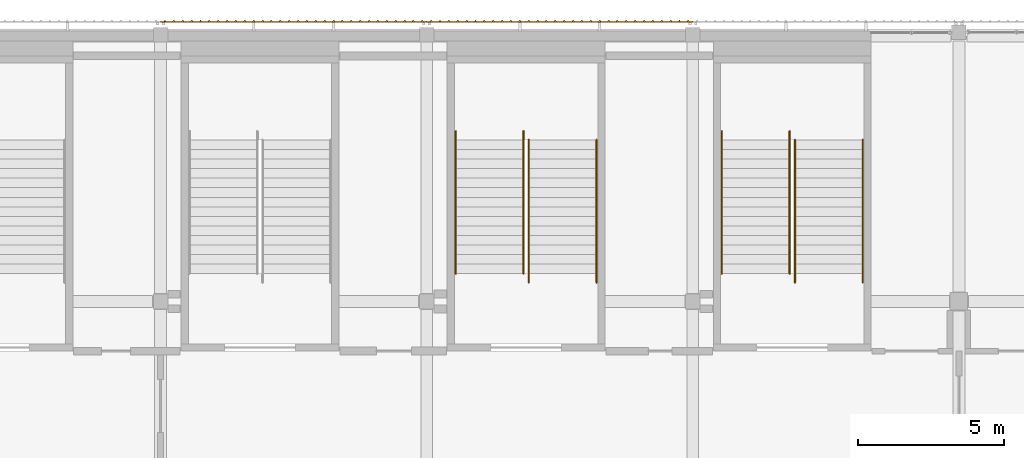
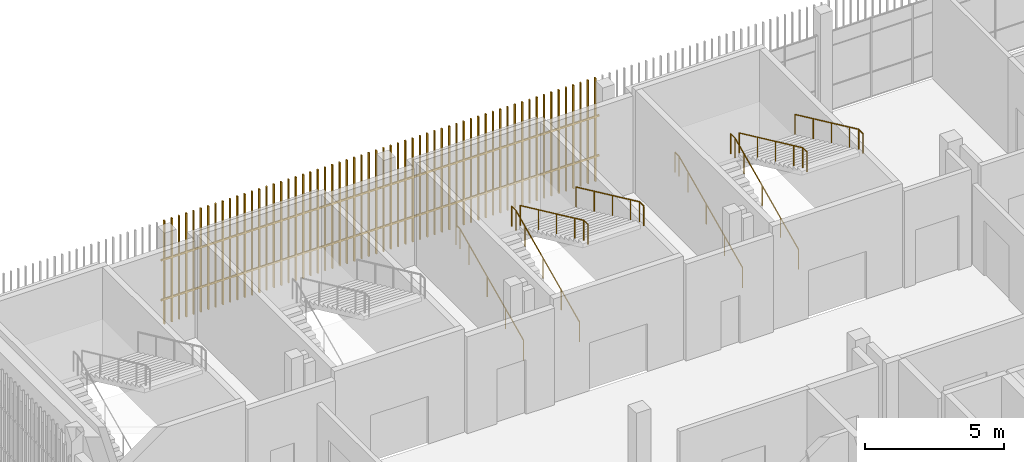
# One storey, part 112 of 124: 8 railings, 2 shading devices.
"""IFC4 building model written with IfcOpenShell, lengths in metres."""

from ifc_helpers import new_model, si_unit, direction, frame, origin, origin_2d, place, context, subcontext, project, spatial, rectangle, circle, extrude, material, type_object, element, save


model = new_model("IFC4")

# Units and contexts
model_context = context("Model", 3, precision=1e-05, world=origin(), true_north=direction((0.0, 1.0)))
body_context = subcontext(model_context, "Body", "Model", "MODEL_VIEW")
ifc_project = project(units=[si_unit("LENGTHUNIT", "METRE"), si_unit("AREAUNIT", "SQUARE_METRE"), si_unit("VOLUMEUNIT", "CUBIC_METRE"), si_unit("PLANEANGLEUNIT", "RADIAN"), si_unit("MASSUNIT", "GRAM", prefix="KILO")], contexts=[model_context])

# Site, building, storey
site_placement = place(None, origin())
site = spatial("IfcSite", under=ifc_project, at=site_placement, CompositionType="ELEMENT")
building_placement = place(site_placement, origin())
building = spatial("IfcBuilding", under=site, at=building_placement, Name="Shirokan Park Arena", CompositionType="ELEMENT")
storey_placement = place(building_placement, frame((0.0, 0.0, 20.02001953125)))
storey = spatial("IfcBuildingStorey", under=building, at=storey_placement, Name="L04", CompositionType="ELEMENT", Elevation=20.02001953125)

# Railings
ifc_material_1 = material(Name="Stainless steel", Category="steel")
railing_type = type_object("IfcRailingType", Name="Stair handrail 900", PredefinedType="HANDRAIL", material=ifc_material_1)
railing_1_placement = place(storey_placement, frame((19.18994140625, 101.050048828125, 0.151611328125)))
element("IfcRailing", 1, at=railing_1_placement, inside=storey, type_object=railing_type, Name="Handrail Exit Stair 4.C L04 to L05", PredefinedType="HANDRAIL", context=body_context, shape_type="SweptSolid", body=[
    extrude(circle(Radius=0.02392578125, at=origin_2d()), frame((0.0, 0.0, 0.8759765625), z_axis=(0.0, 0.906999720516, 0.421131222998), x_axis=(-1.0, 0.0, 0.0)), (0.0, 0.0, 1.0), 1.440673828125),
    extrude(circle(Radius=0.02392578125, at=origin_2d()), frame((0.0, 1.306640625, 1.482421875), z_axis=(0.0, 0.907029769225, 0.421066500378), x_axis=(-1.0, 0.0, 0.0)), (0.0, 0.0, 1.0), 1.44091796875),
    extrude(circle(Radius=0.02392578125, at=origin_2d()), frame((0.0, 2.613525390625, 2.08935546875), z_axis=(0.0, 0.907029769225, 0.421066500378), x_axis=(-1.0, 0.0, 0.0)), (0.0, 0.0, 1.0), 1.44091796875),
    extrude(circle(Radius=0.02392578125, at=origin_2d()), frame((0.0, 3.92041015625, 2.69580078125), z_axis=(0.0, 0.907064445915, 0.420991794405), x_axis=(-1.0, 0.0, 0.0)), (0.0, 0.0, 1.0), 0.72021484375),
    extrude(circle(Radius=0.02392578125, at=origin_2d()), frame((0.0, 4.57373046875, 2.9990234375), z_axis=(0.0, 1.0, 0.0), x_axis=(-1.0, 0.0, 0.0)), (0.0, 0.0, 1.0), 0.300048828125),
    extrude(circle(Radius=0.02099609375, at=origin_2d()), origin(), (0.0, 0.0, 1.0), 0.851806640625),
    extrude(circle(Radius=0.02099609375, at=origin_2d()), frame((0.0, 1.306640625, 0.606689453125)), (0.0, 0.0, 1.0), 0.851806640625),
    extrude(circle(Radius=0.02099609375, at=origin_2d()), frame((0.0, 2.613525390625, 1.21337890625)), (0.0, 0.0, 1.0), 0.851806640625),
    extrude(circle(Radius=0.02099609375, at=origin_2d()), frame((0.0, 3.92041015625, 1.820068359375)), (0.0, 0.0, 1.0), 0.851806640625),
    extrude(circle(Radius=0.02099609375, at=origin_2d()), frame((0.0, 4.57373046875, 2.123291015625)), (0.0, 0.0, 1.0), 0.851806640625),
    extrude(circle(Radius=0.02099609375, at=origin_2d()), frame((0.0, 4.873779296875, 2.123291015625)), (0.0, 0.0, 1.0), 0.851806640625),
])
railing_2_placement = place(storey_placement, frame((21.510009765625, 101.050048828125, 0.151611328125)))
element("IfcRailing", 2, at=railing_2_placement, inside=storey, type_object=railing_type, Name="Handrail Exit Stair 4.C L04 to L05", PredefinedType="HANDRAIL", context=body_context, shape_type="SweptSolid", body=[
    extrude(circle(Radius=0.02392578125, at=origin_2d()), frame((0.0, 0.0, 0.8759765625), z_axis=(0.0, 0.906999720516, 0.421131222998), x_axis=(-1.0, 0.0, 0.0)), (0.0, 0.0, 1.0), 1.440673828125),
    extrude(circle(Radius=0.02392578125, at=origin_2d()), frame((0.0, 1.306640625, 1.482421875), z_axis=(0.0, 0.907029769225, 0.421066500378), x_axis=(-1.0, 0.0, 0.0)), (0.0, 0.0, 1.0), 1.44091796875),
    extrude(circle(Radius=0.02392578125, at=origin_2d()), frame((0.0, 2.613525390625, 2.08935546875), z_axis=(0.0, 0.907029769225, 0.421066500378), x_axis=(-1.0, 0.0, 0.0)), (0.0, 0.0, 1.0), 1.44091796875),
    extrude(circle(Radius=0.02392578125, at=origin_2d()), frame((0.0, 3.92041015625, 2.69580078125), z_axis=(0.0, 0.907064445915, 0.420991794405), x_axis=(-1.0, 0.0, 0.0)), (0.0, 0.0, 1.0), 0.72021484375),
    extrude(circle(Radius=0.02392578125, at=origin_2d()), frame((0.0, 4.57373046875, 2.9990234375), z_axis=(0.0, 1.0, 0.0), x_axis=(-1.0, 0.0, 0.0)), (0.0, 0.0, 1.0), 0.300048828125),
    extrude(circle(Radius=0.02099609375, at=origin_2d()), origin(), (0.0, 0.0, 1.0), 0.851806640625),
    extrude(circle(Radius=0.02099609375, at=origin_2d()), frame((0.0, 1.306640625, 0.606689453125)), (0.0, 0.0, 1.0), 0.851806640625),
    extrude(circle(Radius=0.02099609375, at=origin_2d()), frame((0.0, 2.613525390625, 1.21337890625)), (0.0, 0.0, 1.0), 0.851806640625),
    extrude(circle(Radius=0.02099609375, at=origin_2d()), frame((0.0, 3.92041015625, 1.820068359375)), (0.0, 0.0, 1.0), 0.851806640625),
    extrude(circle(Radius=0.02099609375, at=origin_2d()), frame((0.0, 4.57373046875, 2.123291015625)), (0.0, 0.0, 1.0), 0.851806640625),
    extrude(circle(Radius=0.02099609375, at=origin_2d()), frame((0.0, 4.873779296875, 2.123291015625)), (0.0, 0.0, 1.0), 0.851806640625),
])
railing_3_placement = place(storey_placement, frame((21.68994140625, 105.623779296875, 2.4267578125)))
element("IfcRailing", 3, at=railing_3_placement, inside=storey, type_object=railing_type, Name="Handrail Exit Stair 4.C L04 to L05", PredefinedType="HANDRAIL", context=body_context, shape_type="SweptSolid", body=[
    extrude(circle(Radius=0.02392578125, at=origin_2d()), frame((0.0, 0.0, 0.8759765625), z_axis=(0.0, -0.907094476872, 0.420927083981), x_axis=(1.0, 0.0, 0.0)), (0.0, 0.0, 1.0), 1.440673828125),
    extrude(circle(Radius=0.02392578125, at=origin_2d()), frame((0.0, -1.306884765625, 1.482421875), z_axis=(0.0, -0.906999720516, 0.421131222998), x_axis=(1.0, 0.0, 0.0)), (0.0, 0.0, 1.0), 1.440673828125),
    extrude(circle(Radius=0.02392578125, at=origin_2d()), frame((0.0, -2.613525390625, 2.0888671875), z_axis=(0.0, -0.907029769225, 0.421066500378), x_axis=(1.0, 0.0, 0.0)), (0.0, 0.0, 1.0), 1.44091796875),
    extrude(circle(Radius=0.02392578125, at=origin_2d()), frame((0.0, -3.92041015625, 2.69580078125), z_axis=(0.0, -0.906934982928, 0.421270621741), x_axis=(1.0, 0.0, 0.0)), (0.0, 0.0, 1.0), 0.720458984375),
    extrude(circle(Radius=0.02392578125, at=origin_2d()), frame((0.0, -4.57373046875, 2.9990234375), z_axis=(0.0, -1.0, 0.0), x_axis=(1.0, 0.0, 0.0)), (0.0, 0.0, 1.0), 0.300048828125),
    extrude(circle(Radius=0.02099609375, at=origin_2d()), origin(), (0.0, 0.0, 1.0), 0.851806640625),
    extrude(circle(Radius=0.02099609375, at=origin_2d()), frame((0.0, -1.306884765625, 0.6064453125)), (0.0, 0.0, 1.0), 0.851806640625),
    extrude(circle(Radius=0.02099609375, at=origin_2d()), frame((0.0, -2.613525390625, 1.213134765625)), (0.0, 0.0, 1.0), 0.851806640625),
    extrude(circle(Radius=0.02099609375, at=origin_2d()), frame((0.0, -3.92041015625, 1.81982421875)), (0.0, 0.0, 1.0), 0.851806640625),
    extrude(circle(Radius=0.02099609375, at=origin_2d()), frame((0.0, -4.57373046875, 2.123291015625)), (0.0, 0.0, 1.0), 0.851806640625),
    extrude(circle(Radius=0.02099609375, at=origin_2d()), frame((0.0, -4.873779296875, 2.123291015625)), (0.0, 0.0, 1.0), 0.851806640625),
])
railing_4_placement = place(storey_placement, frame((24.010009765625, 105.623779296875, 2.4267578125)))
element("IfcRailing", 4, at=railing_4_placement, inside=storey, type_object=railing_type, Name="Handrail Exit Stair 4.C L04 to L05", PredefinedType="HANDRAIL", context=body_context, shape_type="SweptSolid", body=[
    extrude(circle(Radius=0.02392578125, at=origin_2d()), frame((0.0, 0.0, 0.8759765625), z_axis=(0.0, -0.907094476872, 0.420927083981), x_axis=(1.0, 0.0, 0.0)), (0.0, 0.0, 1.0), 1.440673828125),
    extrude(circle(Radius=0.02392578125, at=origin_2d()), frame((0.0, -1.306884765625, 1.482421875), z_axis=(0.0, -0.906999720516, 0.421131222998), x_axis=(1.0, 0.0, 0.0)), (0.0, 0.0, 1.0), 1.440673828125),
    extrude(circle(Radius=0.02392578125, at=origin_2d()), frame((0.0, -2.613525390625, 2.0888671875), z_axis=(0.0, -0.907029769225, 0.421066500378), x_axis=(1.0, 0.0, 0.0)), (0.0, 0.0, 1.0), 1.44091796875),
    extrude(circle(Radius=0.02392578125, at=origin_2d()), frame((0.0, -3.92041015625, 2.69580078125), z_axis=(0.0, -0.906934982928, 0.421270621741), x_axis=(1.0, 0.0, 0.0)), (0.0, 0.0, 1.0), 0.720458984375),
    extrude(circle(Radius=0.02392578125, at=origin_2d()), frame((0.0, -4.57373046875, 2.9990234375), z_axis=(0.0, -1.0, 0.0), x_axis=(1.0, 0.0, 0.0)), (0.0, 0.0, 1.0), 0.300048828125),
    extrude(circle(Radius=0.02099609375, at=origin_2d()), origin(), (0.0, 0.0, 1.0), 0.851806640625),
    extrude(circle(Radius=0.02099609375, at=origin_2d()), frame((0.0, -1.306884765625, 0.6064453125)), (0.0, 0.0, 1.0), 0.851806640625),
    extrude(circle(Radius=0.02099609375, at=origin_2d()), frame((0.0, -2.613525390625, 1.213134765625)), (0.0, 0.0, 1.0), 0.851806640625),
    extrude(circle(Radius=0.02099609375, at=origin_2d()), frame((0.0, -3.92041015625, 1.81982421875)), (0.0, 0.0, 1.0), 0.851806640625),
    extrude(circle(Radius=0.02099609375, at=origin_2d()), frame((0.0, -4.57373046875, 2.123291015625)), (0.0, 0.0, 1.0), 0.851806640625),
    extrude(circle(Radius=0.02099609375, at=origin_2d()), frame((0.0, -4.873779296875, 2.123291015625)), (0.0, 0.0, 1.0), 0.851806640625),
])
railing_5_placement = place(storey_placement, frame((28.2900390625, 101.050048828125, 0.151611328125)))
element("IfcRailing", 5, at=railing_5_placement, inside=storey, type_object=railing_type, Name="Handrail Exit Stair 4.D L04 to L05", PredefinedType="HANDRAIL", context=body_context, shape_type="SweptSolid", body=[
    extrude(circle(Radius=0.02392578125, at=origin_2d()), frame((0.0, 0.0, 0.8759765625), z_axis=(0.0, 0.906999720516, 0.421131222998), x_axis=(-1.0, 0.0, 0.0)), (0.0, 0.0, 1.0), 1.440673828125),
    extrude(circle(Radius=0.02392578125, at=origin_2d()), frame((0.0, 1.306640625, 1.482421875), z_axis=(0.0, 0.907029769225, 0.421066500378), x_axis=(-1.0, 0.0, 0.0)), (0.0, 0.0, 1.0), 1.44091796875),
    extrude(circle(Radius=0.02392578125, at=origin_2d()), frame((0.0, 2.613525390625, 2.08935546875), z_axis=(0.0, 0.907029769225, 0.421066500378), x_axis=(-1.0, 0.0, 0.0)), (0.0, 0.0, 1.0), 1.44091796875),
    extrude(circle(Radius=0.02392578125, at=origin_2d()), frame((0.0, 3.92041015625, 2.69580078125), z_axis=(0.0, 0.907064445915, 0.420991794405), x_axis=(-1.0, 0.0, 0.0)), (0.0, 0.0, 1.0), 0.72021484375),
    extrude(circle(Radius=0.02392578125, at=origin_2d()), frame((0.0, 4.57373046875, 2.9990234375), z_axis=(0.0, 1.0, 0.0), x_axis=(-1.0, 0.0, 0.0)), (0.0, 0.0, 1.0), 0.300048828125),
    extrude(circle(Radius=0.02099609375, at=origin_2d()), origin(), (0.0, 0.0, 1.0), 0.851806640625),
    extrude(circle(Radius=0.02099609375, at=origin_2d()), frame((0.0, 1.306640625, 0.606689453125)), (0.0, 0.0, 1.0), 0.851806640625),
    extrude(circle(Radius=0.02099609375, at=origin_2d()), frame((0.0, 2.613525390625, 1.21337890625)), (0.0, 0.0, 1.0), 0.851806640625),
    extrude(circle(Radius=0.02099609375, at=origin_2d()), frame((0.0, 3.92041015625, 1.820068359375)), (0.0, 0.0, 1.0), 0.851806640625),
    extrude(circle(Radius=0.02099609375, at=origin_2d()), frame((0.0, 4.57373046875, 2.123291015625)), (0.0, 0.0, 1.0), 0.851806640625),
    extrude(circle(Radius=0.02099609375, at=origin_2d()), frame((0.0, 4.873779296875, 2.123291015625)), (0.0, 0.0, 1.0), 0.851806640625),
])
railing_6_placement = place(storey_placement, frame((30.610107421875, 101.050048828125, 0.151611328125)))
element("IfcRailing", 6, at=railing_6_placement, inside=storey, type_object=railing_type, Name="Handrail Exit Stair 4.D L04 to L05", PredefinedType="HANDRAIL", context=body_context, shape_type="SweptSolid", body=[
    extrude(circle(Radius=0.02392578125, at=origin_2d()), frame((0.0, 0.0, 0.8759765625), z_axis=(0.0, 0.906999720516, 0.421131222998), x_axis=(-1.0, 0.0, 0.0)), (0.0, 0.0, 1.0), 1.440673828125),
    extrude(circle(Radius=0.02392578125, at=origin_2d()), frame((0.0, 1.306640625, 1.482421875), z_axis=(0.0, 0.907029769225, 0.421066500378), x_axis=(-1.0, 0.0, 0.0)), (0.0, 0.0, 1.0), 1.44091796875),
    extrude(circle(Radius=0.02392578125, at=origin_2d()), frame((0.0, 2.613525390625, 2.08935546875), z_axis=(0.0, 0.907029769225, 0.421066500378), x_axis=(-1.0, 0.0, 0.0)), (0.0, 0.0, 1.0), 1.44091796875),
    extrude(circle(Radius=0.02392578125, at=origin_2d()), frame((0.0, 3.92041015625, 2.69580078125), z_axis=(0.0, 0.907064445915, 0.420991794405), x_axis=(-1.0, 0.0, 0.0)), (0.0, 0.0, 1.0), 0.72021484375),
    extrude(circle(Radius=0.02392578125, at=origin_2d()), frame((0.0, 4.57373046875, 2.9990234375), z_axis=(0.0, 1.0, 0.0), x_axis=(-1.0, 0.0, 0.0)), (0.0, 0.0, 1.0), 0.300048828125),
    extrude(circle(Radius=0.02099609375, at=origin_2d()), origin(), (0.0, 0.0, 1.0), 0.851806640625),
    extrude(circle(Radius=0.02099609375, at=origin_2d()), frame((0.0, 1.306640625, 0.606689453125)), (0.0, 0.0, 1.0), 0.851806640625),
    extrude(circle(Radius=0.02099609375, at=origin_2d()), frame((0.0, 2.613525390625, 1.21337890625)), (0.0, 0.0, 1.0), 0.851806640625),
    extrude(circle(Radius=0.02099609375, at=origin_2d()), frame((0.0, 3.92041015625, 1.820068359375)), (0.0, 0.0, 1.0), 0.851806640625),
    extrude(circle(Radius=0.02099609375, at=origin_2d()), frame((0.0, 4.57373046875, 2.123291015625)), (0.0, 0.0, 1.0), 0.851806640625),
    extrude(circle(Radius=0.02099609375, at=origin_2d()), frame((0.0, 4.873779296875, 2.123291015625)), (0.0, 0.0, 1.0), 0.851806640625),
])
railing_7_placement = place(storey_placement, frame((30.7900390625, 105.623779296875, 2.4267578125)))
element("IfcRailing", 7, at=railing_7_placement, inside=storey, type_object=railing_type, Name="Handrail Exit Stair 4.D L04 to L05", PredefinedType="HANDRAIL", context=body_context, shape_type="SweptSolid", body=[
    extrude(circle(Radius=0.02392578125, at=origin_2d()), frame((0.0, 0.0, 0.8759765625), z_axis=(0.0, -0.907094476872, 0.420927083981), x_axis=(1.0, 0.0, 0.0)), (0.0, 0.0, 1.0), 1.440673828125),
    extrude(circle(Radius=0.02392578125, at=origin_2d()), frame((0.0, -1.306884765625, 1.482421875), z_axis=(0.0, -0.906999720516, 0.421131222998), x_axis=(1.0, 0.0, 0.0)), (0.0, 0.0, 1.0), 1.440673828125),
    extrude(circle(Radius=0.02392578125, at=origin_2d()), frame((0.0, -2.613525390625, 2.0888671875), z_axis=(0.0, -0.907029769225, 0.421066500378), x_axis=(1.0, 0.0, 0.0)), (0.0, 0.0, 1.0), 1.44091796875),
    extrude(circle(Radius=0.02392578125, at=origin_2d()), frame((0.0, -3.92041015625, 2.69580078125), z_axis=(0.0, -0.906934982928, 0.421270621741), x_axis=(1.0, 0.0, 0.0)), (0.0, 0.0, 1.0), 0.720458984375),
    extrude(circle(Radius=0.02392578125, at=origin_2d()), frame((0.0, -4.57373046875, 2.9990234375), z_axis=(0.0, -1.0, 0.0), x_axis=(1.0, 0.0, 0.0)), (0.0, 0.0, 1.0), 0.300048828125),
    extrude(circle(Radius=0.02099609375, at=origin_2d()), origin(), (0.0, 0.0, 1.0), 0.851806640625),
    extrude(circle(Radius=0.02099609375, at=origin_2d()), frame((0.0, -1.306884765625, 0.6064453125)), (0.0, 0.0, 1.0), 0.851806640625),
    extrude(circle(Radius=0.02099609375, at=origin_2d()), frame((0.0, -2.613525390625, 1.213134765625)), (0.0, 0.0, 1.0), 0.851806640625),
    extrude(circle(Radius=0.02099609375, at=origin_2d()), frame((0.0, -3.92041015625, 1.81982421875)), (0.0, 0.0, 1.0), 0.851806640625),
    extrude(circle(Radius=0.02099609375, at=origin_2d()), frame((0.0, -4.57373046875, 2.123291015625)), (0.0, 0.0, 1.0), 0.851806640625),
    extrude(circle(Radius=0.02099609375, at=origin_2d()), frame((0.0, -4.873779296875, 2.123291015625)), (0.0, 0.0, 1.0), 0.851806640625),
])
railing_8_placement = place(storey_placement, frame((33.110107421875, 105.623779296875, 2.4267578125)))
element("IfcRailing", 8, at=railing_8_placement, inside=storey, type_object=railing_type, Name="Handrail Exit Stair 4.D L04 to L05", PredefinedType="HANDRAIL", context=body_context, shape_type="SweptSolid", body=[
    extrude(circle(Radius=0.02392578125, at=origin_2d()), frame((0.0, 0.0, 0.8759765625), z_axis=(0.0, -0.907094476872, 0.420927083981), x_axis=(1.0, 0.0, 0.0)), (0.0, 0.0, 1.0), 1.440673828125),
    extrude(circle(Radius=0.02392578125, at=origin_2d()), frame((0.0, -1.306884765625, 1.482421875), z_axis=(0.0, -0.906999720516, 0.421131222998), x_axis=(1.0, 0.0, 0.0)), (0.0, 0.0, 1.0), 1.440673828125),
    extrude(circle(Radius=0.02392578125, at=origin_2d()), frame((0.0, -2.613525390625, 2.0888671875), z_axis=(0.0, -0.907029769225, 0.421066500378), x_axis=(1.0, 0.0, 0.0)), (0.0, 0.0, 1.0), 1.44091796875),
    extrude(circle(Radius=0.02392578125, at=origin_2d()), frame((0.0, -3.92041015625, 2.69580078125), z_axis=(0.0, -0.906934982928, 0.421270621741), x_axis=(1.0, 0.0, 0.0)), (0.0, 0.0, 1.0), 0.720458984375),
    extrude(circle(Radius=0.02392578125, at=origin_2d()), frame((0.0, -4.57373046875, 2.9990234375), z_axis=(0.0, -1.0, 0.0), x_axis=(1.0, 0.0, 0.0)), (0.0, 0.0, 1.0), 0.300048828125),
    extrude(circle(Radius=0.02099609375, at=origin_2d()), origin(), (0.0, 0.0, 1.0), 0.851806640625),
    extrude(circle(Radius=0.02099609375, at=origin_2d()), frame((0.0, -1.306884765625, 0.6064453125)), (0.0, 0.0, 1.0), 0.851806640625),
    extrude(circle(Radius=0.02099609375, at=origin_2d()), frame((0.0, -2.613525390625, 1.213134765625)), (0.0, 0.0, 1.0), 0.851806640625),
    extrude(circle(Radius=0.02099609375, at=origin_2d()), frame((0.0, -3.92041015625, 1.81982421875)), (0.0, 0.0, 1.0), 0.851806640625),
    extrude(circle(Radius=0.02099609375, at=origin_2d()), frame((0.0, -4.57373046875, 2.123291015625)), (0.0, 0.0, 1.0), 0.851806640625),
    extrude(circle(Radius=0.02099609375, at=origin_2d()), frame((0.0, -4.873779296875, 2.123291015625)), (0.0, 0.0, 1.0), 0.851806640625),
])

# Shading devices
ifc_material_2 = material(Name="Timber louvre veil (cedar)", Category="wood")
shading_device_type = type_object("IfcShadingDeviceType", Name="Timber louvre veil panel", PredefinedType="JALOUSIE", material=ifc_material_2)
shading_device_1_placement = place(storey_placement, origin())
element("IfcShadingDevice", 9, at=shading_device_1_placement, inside=storey, type_object=shading_device_type, Name="Timber louvre veil north bay 14 L04", PredefinedType="JALOUSIE", context=body_context, shape_type="SweptSolid", body=[
    extrude(rectangle(XDim=0.050048828125, YDim=0.080078125, at=origin_2d()), frame((27.1484375, 109.68505859375, 0.0), z_axis=(0.0, 0.0, 1.0), x_axis=(-1.0, 0.0, 0.0)), (0.0, 0.0, 1.0), 4.550048828125),
    extrude(rectangle(XDim=0.050048828125, YDim=0.080078125, at=origin_2d()), frame((26.844970703125, 109.68505859375, 0.0), z_axis=(0.0, 0.0, 1.0), x_axis=(-1.0, 0.0, 0.0)), (0.0, 0.0, 1.0), 4.550048828125),
    extrude(rectangle(XDim=0.050048828125, YDim=0.080078125, at=origin_2d()), frame((26.541748046875, 109.68505859375, 0.0), z_axis=(0.0, 0.0, 1.0), x_axis=(-1.0, 0.0, 0.0)), (0.0, 0.0, 1.0), 4.550048828125),
    extrude(rectangle(XDim=0.050048828125, YDim=0.080078125, at=origin_2d()), frame((26.23828125, 109.68505859375, 0.0), z_axis=(0.0, 0.0, 1.0), x_axis=(-1.0, 0.0, 0.0)), (0.0, 0.0, 1.0), 4.550048828125),
    extrude(rectangle(XDim=0.050048828125, YDim=0.080078125, at=origin_2d()), frame((25.93505859375, 109.68505859375, 0.0), z_axis=(0.0, 0.0, 1.0), x_axis=(-1.0, 0.0, 0.0)), (0.0, 0.0, 1.0), 4.550048828125),
    extrude(rectangle(XDim=0.050048828125, YDim=0.080078125, at=origin_2d()), frame((25.631591796875, 109.68505859375, 0.0), z_axis=(0.0, 0.0, 1.0), x_axis=(-1.0, 0.0, 0.0)), (0.0, 0.0, 1.0), 4.550048828125),
    extrude(rectangle(XDim=0.050048828125, YDim=0.080078125, at=origin_2d()), frame((25.328369140625, 109.68505859375, 0.0), z_axis=(0.0, 0.0, 1.0), x_axis=(-1.0, 0.0, 0.0)), (0.0, 0.0, 1.0), 4.550048828125),
    extrude(rectangle(XDim=0.050048828125, YDim=0.080078125, at=origin_2d()), frame((25.02490234375, 109.68505859375, 0.0), z_axis=(0.0, 0.0, 1.0), x_axis=(-1.0, 0.0, 0.0)), (0.0, 0.0, 1.0), 4.550048828125),
    extrude(rectangle(XDim=0.050048828125, YDim=0.080078125, at=origin_2d()), frame((24.7216796875, 109.68505859375, 0.0), z_axis=(0.0, 0.0, 1.0), x_axis=(-1.0, 0.0, 0.0)), (0.0, 0.0, 1.0), 4.550048828125),
    extrude(rectangle(XDim=0.050048828125, YDim=0.080078125, at=origin_2d()), frame((24.418212890625, 109.68505859375, 0.0), z_axis=(0.0, 0.0, 1.0), x_axis=(-1.0, 0.0, 0.0)), (0.0, 0.0, 1.0), 4.550048828125),
    extrude(rectangle(XDim=0.050048828125, YDim=0.080078125, at=origin_2d()), frame((24.114990234375, 109.68505859375, 0.0), z_axis=(0.0, 0.0, 1.0), x_axis=(-1.0, 0.0, 0.0)), (0.0, 0.0, 1.0), 4.550048828125),
    extrude(rectangle(XDim=0.050048828125, YDim=0.080078125, at=origin_2d()), frame((23.811767578125, 109.68505859375, 0.0), z_axis=(0.0, 0.0, 1.0), x_axis=(-1.0, 0.0, 0.0)), (0.0, 0.0, 1.0), 4.550048828125),
    extrude(rectangle(XDim=0.050048828125, YDim=0.080078125, at=origin_2d()), frame((23.50830078125, 109.68505859375, 0.0), z_axis=(0.0, 0.0, 1.0), x_axis=(-1.0, 0.0, 0.0)), (0.0, 0.0, 1.0), 4.550048828125),
    extrude(rectangle(XDim=0.050048828125, YDim=0.080078125, at=origin_2d()), frame((23.205078125, 109.68505859375, 0.0), z_axis=(0.0, 0.0, 1.0), x_axis=(-1.0, 0.0, 0.0)), (0.0, 0.0, 1.0), 4.550048828125),
    extrude(rectangle(XDim=0.050048828125, YDim=0.080078125, at=origin_2d()), frame((22.901611328125, 109.68505859375, 0.0), z_axis=(0.0, 0.0, 1.0), x_axis=(-1.0, 0.0, 0.0)), (0.0, 0.0, 1.0), 4.550048828125),
    extrude(rectangle(XDim=0.050048828125, YDim=0.080078125, at=origin_2d()), frame((22.598388671875, 109.68505859375, 0.0), z_axis=(0.0, 0.0, 1.0), x_axis=(-1.0, 0.0, 0.0)), (0.0, 0.0, 1.0), 4.550048828125),
    extrude(rectangle(XDim=0.050048828125, YDim=0.080078125, at=origin_2d()), frame((22.294921875, 109.68505859375, 0.0), z_axis=(0.0, 0.0, 1.0), x_axis=(-1.0, 0.0, 0.0)), (0.0, 0.0, 1.0), 4.550048828125),
    extrude(rectangle(XDim=0.050048828125, YDim=0.080078125, at=origin_2d()), frame((21.99169921875, 109.68505859375, 0.0), z_axis=(0.0, 0.0, 1.0), x_axis=(-1.0, 0.0, 0.0)), (0.0, 0.0, 1.0), 4.550048828125),
    extrude(rectangle(XDim=0.050048828125, YDim=0.080078125, at=origin_2d()), frame((21.688232421875, 109.68505859375, 0.0), z_axis=(0.0, 0.0, 1.0), x_axis=(-1.0, 0.0, 0.0)), (0.0, 0.0, 1.0), 4.550048828125),
    extrude(rectangle(XDim=0.050048828125, YDim=0.080078125, at=origin_2d()), frame((21.385009765625, 109.68505859375, 0.0), z_axis=(0.0, 0.0, 1.0), x_axis=(-1.0, 0.0, 0.0)), (0.0, 0.0, 1.0), 4.550048828125),
    extrude(rectangle(XDim=0.050048828125, YDim=0.080078125, at=origin_2d()), frame((21.081787109375, 109.68505859375, 0.0), z_axis=(0.0, 0.0, 1.0), x_axis=(-1.0, 0.0, 0.0)), (0.0, 0.0, 1.0), 4.550048828125),
    extrude(rectangle(XDim=0.050048828125, YDim=0.080078125, at=origin_2d()), frame((20.7783203125, 109.68505859375, 0.0), z_axis=(0.0, 0.0, 1.0), x_axis=(-1.0, 0.0, 0.0)), (0.0, 0.0, 1.0), 4.550048828125),
    extrude(rectangle(XDim=0.050048828125, YDim=0.080078125, at=origin_2d()), frame((20.47509765625, 109.68505859375, 0.0), z_axis=(0.0, 0.0, 1.0), x_axis=(-1.0, 0.0, 0.0)), (0.0, 0.0, 1.0), 4.550048828125),
    extrude(rectangle(XDim=0.050048828125, YDim=0.080078125, at=origin_2d()), frame((20.171630859375, 109.68505859375, 0.0), z_axis=(0.0, 0.0, 1.0), x_axis=(-1.0, 0.0, 0.0)), (0.0, 0.0, 1.0), 4.550048828125),
    extrude(rectangle(XDim=0.050048828125, YDim=0.080078125, at=origin_2d()), frame((19.868408203125, 109.68505859375, 0.0), z_axis=(0.0, 0.0, 1.0), x_axis=(-1.0, 0.0, 0.0)), (0.0, 0.0, 1.0), 4.550048828125),
    extrude(rectangle(XDim=0.050048828125, YDim=0.080078125, at=origin_2d()), frame((19.56494140625, 109.68505859375, 0.0), z_axis=(0.0, 0.0, 1.0), x_axis=(-1.0, 0.0, 0.0)), (0.0, 0.0, 1.0), 4.550048828125),
    extrude(rectangle(XDim=0.050048828125, YDim=0.080078125, at=origin_2d()), frame((19.26171875, 109.68505859375, 0.0), z_axis=(0.0, 0.0, 1.0), x_axis=(-1.0, 0.0, 0.0)), (0.0, 0.0, 1.0), 4.550048828125),
    extrude(rectangle(XDim=0.050048828125, YDim=0.080078125, at=origin_2d()), frame((18.958251953125, 109.68505859375, 0.0), z_axis=(0.0, 0.0, 1.0), x_axis=(-1.0, 0.0, 0.0)), (0.0, 0.0, 1.0), 4.550048828125),
    extrude(rectangle(XDim=0.050048828125, YDim=0.080078125, at=origin_2d()), frame((18.655029296875, 109.68505859375, 0.0), z_axis=(0.0, 0.0, 1.0), x_axis=(-1.0, 0.0, 0.0)), (0.0, 0.0, 1.0), 4.550048828125),
    extrude(rectangle(XDim=0.050048828125, YDim=0.080078125, at=origin_2d()), frame((18.3515625, 109.68505859375, 0.0), z_axis=(0.0, 0.0, 1.0), x_axis=(-1.0, 0.0, 0.0)), (0.0, 0.0, 1.0), 4.550048828125),
    extrude(rectangle(XDim=9.10009765625, YDim=0.050048828125, at=origin_2d()), frame((22.75, 109.669921875, 1.06005859375), z_axis=(0.0, 0.0, 1.0), x_axis=(-1.0, 0.0, 0.0)), (0.0, 0.0, 1.0), 0.080078125),
    extrude(rectangle(XDim=9.10009765625, YDim=0.050048828125, at=origin_2d()), frame((22.75, 109.669921875, 2.81005859375), z_axis=(0.0, 0.0, 1.0), x_axis=(-1.0, 0.0, 0.0)), (0.0, 0.0, 1.0), 0.080078125),
])
shading_device_2_placement = place(storey_placement, origin())
element("IfcShadingDevice", 10, at=shading_device_2_placement, inside=storey, type_object=shading_device_type, Name="Timber louvre veil north bay 15 L04", PredefinedType="JALOUSIE", context=body_context, shape_type="SweptSolid", body=[
    extrude(rectangle(XDim=0.050048828125, YDim=0.080078125, at=origin_2d()), frame((18.04833984375, 109.68505859375, 0.0), z_axis=(0.0, 0.0, 1.0), x_axis=(-1.0, 0.0, 0.0)), (0.0, 0.0, 1.0), 4.550048828125),
    extrude(rectangle(XDim=0.050048828125, YDim=0.080078125, at=origin_2d()), frame((17.7451171875, 109.68505859375, 0.0), z_axis=(0.0, 0.0, 1.0), x_axis=(-1.0, 0.0, 0.0)), (0.0, 0.0, 1.0), 4.550048828125),
    extrude(rectangle(XDim=0.050048828125, YDim=0.080078125, at=origin_2d()), frame((17.441650390625, 109.68505859375, 0.0), z_axis=(0.0, 0.0, 1.0), x_axis=(-1.0, 0.0, 0.0)), (0.0, 0.0, 1.0), 4.550048828125),
    extrude(rectangle(XDim=0.050048828125, YDim=0.080078125, at=origin_2d()), frame((17.138427734375, 109.68505859375, 0.0), z_axis=(0.0, 0.0, 1.0), x_axis=(-1.0, 0.0, 0.0)), (0.0, 0.0, 1.0), 4.550048828125),
    extrude(rectangle(XDim=0.050048828125, YDim=0.080078125, at=origin_2d()), frame((16.8349609375, 109.68505859375, 0.0), z_axis=(0.0, 0.0, 1.0), x_axis=(-1.0, 0.0, 0.0)), (0.0, 0.0, 1.0), 4.550048828125),
    extrude(rectangle(XDim=0.050048828125, YDim=0.080078125, at=origin_2d()), frame((16.53173828125, 109.68505859375, 0.0), z_axis=(0.0, 0.0, 1.0), x_axis=(-1.0, 0.0, 0.0)), (0.0, 0.0, 1.0), 4.550048828125),
    extrude(rectangle(XDim=0.050048828125, YDim=0.080078125, at=origin_2d()), frame((16.228271484375, 109.68505859375, 0.0), z_axis=(0.0, 0.0, 1.0), x_axis=(-1.0, 0.0, 0.0)), (0.0, 0.0, 1.0), 4.550048828125),
    extrude(rectangle(XDim=0.050048828125, YDim=0.080078125, at=origin_2d()), frame((15.925048828125, 109.68505859375, 0.0), z_axis=(0.0, 0.0, 1.0), x_axis=(-1.0, 0.0, 0.0)), (0.0, 0.0, 1.0), 4.550048828125),
    extrude(rectangle(XDim=0.050048828125, YDim=0.080078125, at=origin_2d()), frame((15.62158203125, 109.68505859375, 0.0), z_axis=(0.0, 0.0, 1.0), x_axis=(-1.0, 0.0, 0.0)), (0.0, 0.0, 1.0), 4.550048828125),
    extrude(rectangle(XDim=0.050048828125, YDim=0.080078125, at=origin_2d()), frame((15.318359375, 109.68505859375, 0.0), z_axis=(0.0, 0.0, 1.0), x_axis=(-1.0, 0.0, 0.0)), (0.0, 0.0, 1.0), 4.550048828125),
    extrude(rectangle(XDim=0.050048828125, YDim=0.080078125, at=origin_2d()), frame((15.014892578125, 109.68505859375, 0.0), z_axis=(0.0, 0.0, 1.0), x_axis=(-1.0, 0.0, 0.0)), (0.0, 0.0, 1.0), 4.550048828125),
    extrude(rectangle(XDim=0.050048828125, YDim=0.080078125, at=origin_2d()), frame((14.711669921875, 109.68505859375, 0.0), z_axis=(0.0, 0.0, 1.0), x_axis=(-1.0, 0.0, 0.0)), (0.0, 0.0, 1.0), 4.550048828125),
    extrude(rectangle(XDim=0.050048828125, YDim=0.080078125, at=origin_2d()), frame((14.408447265625, 109.68505859375, 0.0), z_axis=(0.0, 0.0, 1.0), x_axis=(-1.0, 0.0, 0.0)), (0.0, 0.0, 1.0), 4.550048828125),
    extrude(rectangle(XDim=0.050048828125, YDim=0.080078125, at=origin_2d()), frame((14.10498046875, 109.68505859375, 0.0), z_axis=(0.0, 0.0, 1.0), x_axis=(-1.0, 0.0, 0.0)), (0.0, 0.0, 1.0), 4.550048828125),
    extrude(rectangle(XDim=0.050048828125, YDim=0.080078125, at=origin_2d()), frame((13.8017578125, 109.68505859375, 0.0), z_axis=(0.0, 0.0, 1.0), x_axis=(-1.0, 0.0, 0.0)), (0.0, 0.0, 1.0), 4.550048828125),
    extrude(rectangle(XDim=0.050048828125, YDim=0.080078125, at=origin_2d()), frame((13.498291015625, 109.68505859375, 0.0), z_axis=(0.0, 0.0, 1.0), x_axis=(-1.0, 0.0, 0.0)), (0.0, 0.0, 1.0), 4.550048828125),
    extrude(rectangle(XDim=0.050048828125, YDim=0.080078125, at=origin_2d()), frame((13.195068359375, 109.68505859375, 0.0), z_axis=(0.0, 0.0, 1.0), x_axis=(-1.0, 0.0, 0.0)), (0.0, 0.0, 1.0), 4.550048828125),
    extrude(rectangle(XDim=0.050048828125, YDim=0.080078125, at=origin_2d()), frame((12.8916015625, 109.68505859375, 0.0), z_axis=(0.0, 0.0, 1.0), x_axis=(-1.0, 0.0, 0.0)), (0.0, 0.0, 1.0), 4.550048828125),
    extrude(rectangle(XDim=0.050048828125, YDim=0.080078125, at=origin_2d()), frame((12.58837890625, 109.68505859375, 0.0), z_axis=(0.0, 0.0, 1.0), x_axis=(-1.0, 0.0, 0.0)), (0.0, 0.0, 1.0), 4.550048828125),
    extrude(rectangle(XDim=0.050048828125, YDim=0.080078125, at=origin_2d()), frame((12.284912109375, 109.68505859375, 0.0), z_axis=(0.0, 0.0, 1.0), x_axis=(-1.0, 0.0, 0.0)), (0.0, 0.0, 1.0), 4.550048828125),
    extrude(rectangle(XDim=0.050048828125, YDim=0.080078125, at=origin_2d()), frame((11.981689453125, 109.68505859375, 0.0), z_axis=(0.0, 0.0, 1.0), x_axis=(-1.0, 0.0, 0.0)), (0.0, 0.0, 1.0), 4.550048828125),
    extrude(rectangle(XDim=0.050048828125, YDim=0.080078125, at=origin_2d()), frame((11.67822265625, 109.68505859375, 0.0), z_axis=(0.0, 0.0, 1.0), x_axis=(-1.0, 0.0, 0.0)), (0.0, 0.0, 1.0), 4.550048828125),
    extrude(rectangle(XDim=0.050048828125, YDim=0.080078125, at=origin_2d()), frame((11.375, 109.68505859375, 0.0), z_axis=(0.0, 0.0, 1.0), x_axis=(-1.0, 0.0, 0.0)), (0.0, 0.0, 1.0), 4.550048828125),
    extrude(rectangle(XDim=0.050048828125, YDim=0.080078125, at=origin_2d()), frame((11.07177734375, 109.68505859375, 0.0), z_axis=(0.0, 0.0, 1.0), x_axis=(-1.0, 0.0, 0.0)), (0.0, 0.0, 1.0), 4.550048828125),
    extrude(rectangle(XDim=0.050048828125, YDim=0.080078125, at=origin_2d()), frame((10.768310546875, 109.68505859375, 0.0), z_axis=(0.0, 0.0, 1.0), x_axis=(-1.0, 0.0, 0.0)), (0.0, 0.0, 1.0), 4.550048828125),
    extrude(rectangle(XDim=0.050048828125, YDim=0.080078125, at=origin_2d()), frame((10.465087890625, 109.68505859375, 0.0), z_axis=(0.0, 0.0, 1.0), x_axis=(-1.0, 0.0, 0.0)), (0.0, 0.0, 1.0), 4.550048828125),
    extrude(rectangle(XDim=0.050048828125, YDim=0.080078125, at=origin_2d()), frame((10.16162109375, 109.68505859375, 0.0), z_axis=(0.0, 0.0, 1.0), x_axis=(-1.0, 0.0, 0.0)), (0.0, 0.0, 1.0), 4.550048828125),
    extrude(rectangle(XDim=0.050048828125, YDim=0.080078125, at=origin_2d()), frame((9.8583984375, 109.68505859375, 0.0), z_axis=(0.0, 0.0, 1.0), x_axis=(-1.0, 0.0, 0.0)), (0.0, 0.0, 1.0), 4.550048828125),
    extrude(rectangle(XDim=0.050048828125, YDim=0.080078125, at=origin_2d()), frame((9.554931640625, 109.68505859375, 0.0), z_axis=(0.0, 0.0, 1.0), x_axis=(-1.0, 0.0, 0.0)), (0.0, 0.0, 1.0), 4.550048828125),
    extrude(rectangle(XDim=0.050048828125, YDim=0.080078125, at=origin_2d()), frame((9.251708984375, 109.68505859375, 0.0), z_axis=(0.0, 0.0, 1.0), x_axis=(-1.0, 0.0, 0.0)), (0.0, 0.0, 1.0), 4.550048828125),
    extrude(rectangle(XDim=9.10009765625, YDim=0.050048828125, at=origin_2d()), frame((13.64990234375, 109.669921875, 1.06005859375), z_axis=(0.0, 0.0, 1.0), x_axis=(-1.0, 0.0, 0.0)), (0.0, 0.0, 1.0), 0.080078125),
    extrude(rectangle(XDim=9.10009765625, YDim=0.050048828125, at=origin_2d()), frame((13.64990234375, 109.669921875, 2.81005859375), z_axis=(0.0, 0.0, 1.0), x_axis=(-1.0, 0.0, 0.0)), (0.0, 0.0, 1.0), 0.080078125),
])

save(model, "model.ifc")
